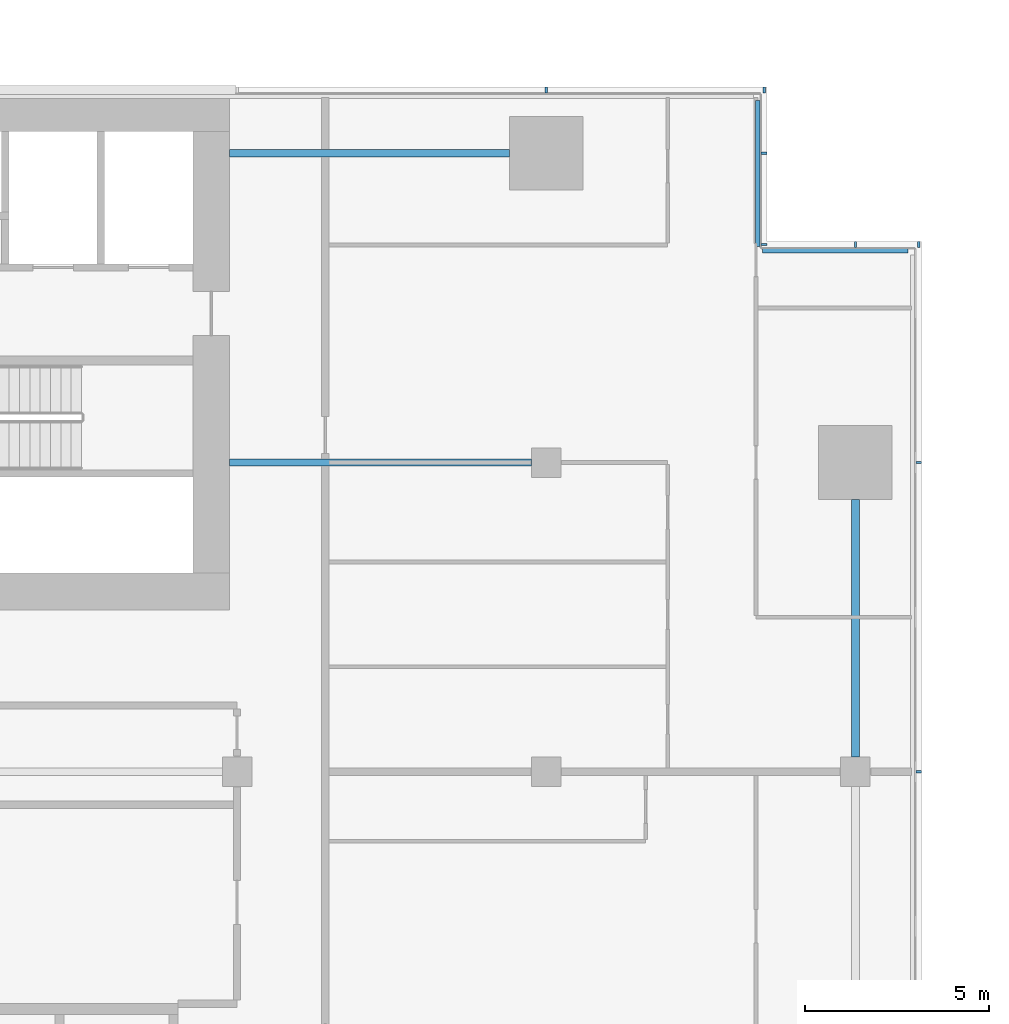
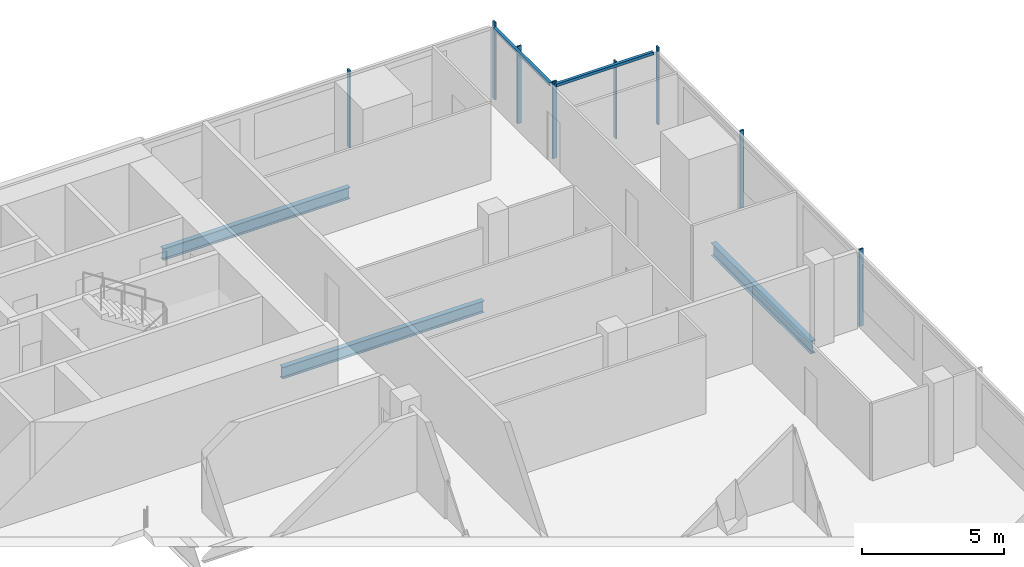
# One storey, part 15 of 30: 10 members, 3 beams, 4 elements without a shape of their own.
"""IFC4 building model written with IfcOpenShell, lengths in metres."""

import ifcopenshell
import ifcopenshell.guid

model = None  # the IFC model being written
_history = None  # IfcOwnerHistory: only IFC2X3 demands one
_inside = {}  # id of a spatial element -> (the spatial element, [elements in it])
_under = {}  # id of a project, library or spatial element -> (it, [spatial elements below it])
_declared = {}  # id of a project -> (the project, [libraries it declares])
_typed = {}  # id of a type object -> (the type object, [elements of that type])
_made_of = {}  # id of a material, layer set ... -> (it, [elements and type objects made of it])


def new_model(schema):
    """Start an empty IFC model of exactly this schema.

    Asked for "IFC4X3", IfcOpenShell would pick the latest addendum, in which some entities
    have other attributes; the version numbers below select the first issue.
    IFC2X3 requires an IfcOwnerHistory on every rooted entity: one is made here for all.
    """
    global model, _history
    if schema == "IFC4X3":
        model = ifcopenshell.file(schema_version=(4, 3, 0, 0))
    else:
        model = ifcopenshell.file(schema=schema)
    _inside.clear()
    _under.clear()
    _declared.clear()
    _typed.clear()
    _made_of.clear()
    _history = None
    if model.schema == "IFC2X3":
        org = make("IfcOrganization", Name="unknown")
        user = make(
            "IfcPersonAndOrganization",
            ThePerson=make("IfcPerson", FamilyName="unknown"),
            TheOrganization=org,
        )
        app = make(
            "IfcApplication",
            ApplicationDeveloper=org,
            Version="unknown",
            ApplicationFullName="unknown",
            ApplicationIdentifier="unknown",
        )
        _history = make(
            "IfcOwnerHistory",
            OwningUser=user,
            OwningApplication=app,
            ChangeAction="ADDED",
            CreationDate=0,
        )
    return model


def make(cls, **values):
    """One entity of the class cls with the attributes given. An attribute that is None is left unset."""
    return model.create_entity(
        cls, **{name: value for name, value in values.items() if value is not None}
    )


def rooted(cls, **values):
    """An entity with a GlobalId (a new one), such as an element, a storey or a relation."""
    return make(cls, GlobalId=ifcopenshell.guid.new(), OwnerHistory=_history, **values)


def si_unit(unit_type, name, prefix=None):
    """IfcSIUnit, for example si_unit("LENGTHUNIT", "METRE", prefix="MILLI")."""
    return make("IfcSIUnit", UnitType=unit_type, Prefix=prefix, Name=name)


def assignment(units):
    """IfcUnitAssignment: the units of a project."""
    return None if units is None else make("IfcUnitAssignment", Units=units)


def point(xyz):
    """IfcCartesianPoint."""
    return None if xyz is None else make("IfcCartesianPoint", Coordinates=xyz)


def direction(xyz):
    """IfcDirection."""
    return None if xyz is None else make("IfcDirection", DirectionRatios=xyz)


def frame(location, z_axis=None, x_axis=None):
    """IfcAxis2Placement3D, a coordinate frame: its origin and axes. An axis left out is left unset."""
    return make(
        "IfcAxis2Placement3D",
        Location=point(location),
        Axis=direction(z_axis),
        RefDirection=direction(x_axis),
    )


def frame_2d(location, x_axis=None):
    """IfcAxis2Placement2D, a coordinate frame in the plane: its origin and x axis."""
    return make(
        "IfcAxis2Placement2D", Location=point(location), RefDirection=direction(x_axis)
    )


def origin():
    """The frame at (0, 0, 0) with its axes left unset."""
    return frame((0.0, 0.0, 0.0))


def origin_2d():
    """The frame at (0, 0) in the plane with its x axis left unset."""
    return frame_2d((0.0, 0.0))


def place(relative_to, where):
    """IfcLocalPlacement: puts the frame where relative to a parent placement (None: the world)."""
    return make(
        "IfcLocalPlacement", PlacementRelTo=relative_to, RelativePlacement=where
    )


def context(
    kind, dimensions, precision=None, world=None, true_north=None, identifier=None
):
    """IfcGeometricRepresentationContext, for example the 3D "Model" context."""
    return make(
        "IfcGeometricRepresentationContext",
        ContextIdentifier=identifier,
        ContextType=kind,
        CoordinateSpaceDimension=dimensions,
        Precision=precision,
        WorldCoordinateSystem=world,
        TrueNorth=true_north,
    )


def subcontext(parent, identifier, kind, view, scale=None):
    """IfcGeometricRepresentationSubContext, for example "Body" below "Model"."""
    return make(
        "IfcGeometricRepresentationSubContext",
        ContextIdentifier=identifier,
        ContextType=kind,
        ParentContext=parent,
        TargetScale=scale,
        TargetView=view,
    )


def project(units=None, contexts=None):
    """IfcProject with its units and contexts."""
    return rooted(
        "IfcProject",
        Name="project",
        RepresentationContexts=contexts,
        UnitsInContext=assignment(units),
    )


def spatial(cls, under=None, at=None, **own):
    """A site, building, storey or space (cls), placed at a placement, below another one or the project."""
    s = rooted(cls, ObjectPlacement=at, **own)
    if under is not None:
        _under.setdefault(under.id(), (under, []))[1].append(s)
    return s


def profile(cls, at=None, kind="AREA", **sizes):
    """A parametric profile (cls). Its sizes go by their IFC names, for example OverallWidth=200.0."""
    return make(cls, ProfileType=kind, Position=at, **sizes)


def rectangle(**sizes):
    """IfcRectangleProfileDef."""
    return profile("IfcRectangleProfileDef", **sizes)


def i_section(**sizes):
    """IfcIShapeProfileDef."""
    return profile("IfcIShapeProfileDef", **sizes)


def extrude(swept, where, along, depth):
    """IfcExtrudedAreaSolid: the profile swept, set in the frame where, extruded along a direction by depth."""
    return make(
        "IfcExtrudedAreaSolid",
        SweptArea=swept,
        Position=where,
        ExtrudedDirection=direction(along),
        Depth=depth,
    )


def shape(context_of_items, identifier, shape_type, items):
    """IfcShapeRepresentation: the items that make up one representation, for example the "Body"."""
    return make(
        "IfcShapeRepresentation",
        ContextOfItems=context_of_items,
        RepresentationIdentifier=identifier,
        RepresentationType=shape_type,
        Items=items,
    )


def material(Name=None, Category=None):
    """IfcMaterial."""
    return make("IfcMaterial", Name=Name, Category=Category)


def material_profile(
    of_material, cross_section, Name=None, Category=None, Priority=None
):
    """IfcMaterialProfile: a cross section and its material."""
    return make(
        "IfcMaterialProfile",
        Name=Name,
        Material=of_material,
        Profile=cross_section,
        Priority=Priority,
        Category=Category,
    )


def profile_set(profiles, Name=None, composite=None):
    """IfcMaterialProfileSet."""
    return make(
        "IfcMaterialProfileSet",
        Name=Name,
        MaterialProfiles=profiles,
        CompositeProfile=composite,
    )


def made_of(thing, what):
    """Note that an element or type object is made of a material, layer set ...; save() writes the relation."""
    if what is not None:
        _made_of.setdefault(what.id(), (what, []))[1].append(thing)
    return thing


def type_object(cls, material=None, **own):
    """A type object (cls), such as IfcWallType, which elements share."""
    return made_of(rooted(cls, **own), material)


def element(
    cls,
    number,
    at=None,
    inside=None,
    cuts=None,
    type_object=None,
    material=None,
    context=None,
    identifier="Body",
    shape_type=None,
    held_by="IfcProductDefinitionShape",
    body=None,
    shapes=None,
    **own,
):
    """One element of the class cls, such as IfcWall. Its Tag is "e" and its number.

    at: its placement. inside: the storey or other place that contains it. cuts: it is an
    opening in that element (IfcRelVoidsElement). A single representation is given by context,
    identifier, shape_type and body (its items); several are given by shapes. held_by: the class
    of the entity that holds the representations. save() writes the other relations.
    """
    e = rooted(cls, Tag="e%d" % number, ObjectPlacement=at, **own)
    if body is not None:
        shapes = [shape(context, identifier, shape_type, body)]
    if shapes is not None:
        e.Representation = make(held_by, Representations=shapes)
    if inside is not None:
        _inside.setdefault(inside.id(), (inside, []))[1].append(e)
    if cuts is not None:
        rooted(
            "IfcRelVoidsElement", RelatingBuildingElement=cuts, RelatedOpeningElement=e
        )
    if type_object is not None:
        _typed.setdefault(type_object.id(), (type_object, []))[1].append(e)
    return made_of(e, material)


def aggregate(whole, parts):
    """IfcRelAggregates: a whole, such as a stair, and the parts it consists of."""
    return rooted("IfcRelAggregates", RelatingObject=whole, RelatedObjects=parts)


def save(model, path):
    """Write the relations noted so far, then the file.

    IfcRelAggregates (storeys below a building ...), IfcRelContainedInSpatialStructure (elements
    in a storey), IfcRelDefinesByType, IfcRelAssociatesMaterial and IfcRelDeclares: one each for
    every whole, place, type object, material and project.
    """
    for whole, parts in _under.values():
        aggregate(whole, parts)
    for where, things in _inside.values():
        rooted(
            "IfcRelContainedInSpatialStructure",
            RelatedElements=things,
            RelatingStructure=where,
        )
    for kind, things in _typed.values():
        rooted("IfcRelDefinesByType", RelatedObjects=things, RelatingType=kind)
    for what, things in _made_of.values():
        rooted("IfcRelAssociatesMaterial", RelatedObjects=things, RelatingMaterial=what)
    for by, libraries in _declared.values():
        rooted("IfcRelDeclares", RelatingContext=by, RelatedDefinitions=libraries)
    model.write(path)


model = new_model("IFC4")

# Units and contexts
model_context = context("Model", 3, precision=1e-05, world=origin(), true_north=direction((0.0, 1.0)))
body_context = subcontext(model_context, "Body", "Model", "MODEL_VIEW")
ifc_project = project(units=[si_unit("LENGTHUNIT", "METRE"), si_unit("AREAUNIT", "SQUARE_METRE"), si_unit("VOLUMEUNIT", "CUBIC_METRE"), si_unit("PLANEANGLEUNIT", "RADIAN"), si_unit("MASSUNIT", "GRAM", prefix="KILO")], contexts=[model_context])

# Site, building, storey
site_placement = place(None, origin())
site = spatial("IfcSite", under=ifc_project, at=site_placement, CompositionType="ELEMENT")
building_placement = place(site_placement, origin())
building = spatial("IfcBuilding", under=site, at=building_placement, Name="Saffron Gate Tower", CompositionType="ELEMENT")
storey_placement = place(building_placement, frame((0.0, 0.0, 127.64990234375)))
storey = spatial("IfcBuildingStorey", under=building, at=storey_placement, Name="L30", CompositionType="ELEMENT", Elevation=127.64990234375)

# Beams
ifc_material_1 = material(Name="Structural steel S355", Category="steel")
ifc_material_profile_1 = material_profile(ifc_material_1, i_section(OverallWidth=0.199951171875, OverallDepth=0.5, WebThickness=0.01025390625, FlangeThickness=0.01611328125, FilletRadius=0.02099609375, at=origin_2d()))
ifc_profile_set_1 = profile_set([ifc_material_profile_1], Name="Structural steel S355")
beam_type_1 = type_object("IfcBeamType", Name="B10 IPE 500", PredefinedType="BEAM", material=ifc_profile_set_1)
beam_1_placement = place(storey_placement, frame((116.60009765625, 65.39990234375, -0.52978515625), z_axis=(-1.0, 0.0, 0.0), x_axis=(0.0, -1.0, 0.0)))
element("IfcBeam", 1, at=beam_1_placement, inside=storey, type_object=beam_type_1, Name="B10 CORE TIE BEAM", PredefinedType="BEAM", context=body_context, shape_type="SweptSolid", body=[
    extrude(i_section(OverallWidth=0.199951171875, OverallDepth=0.5, WebThickness=0.01025390625, FlangeThickness=0.01611328125, FilletRadius=0.02099609375, at=origin_2d()), origin(), (0.0, 0.0, 1.0), 8.2001953125),
])
beam_2_placement = place(storey_placement, frame((116.0, 73.800048828125, -0.52978515625), z_axis=(-1.0, 0.0, 0.0), x_axis=(0.0, -1.0, 0.0)))
element("IfcBeam", 2, at=beam_2_placement, inside=storey, type_object=beam_type_1, Name="B10 CORE TIE BEAM", PredefinedType="BEAM", context=body_context, shape_type="SweptSolid", body=[
    extrude(i_section(OverallWidth=0.199951171875, OverallDepth=0.5, WebThickness=0.01025390625, FlangeThickness=0.01611328125, FilletRadius=0.02099609375, at=origin_2d()), origin(), (0.0, 0.0, 1.0), 7.60009765625),
])
ifc_material_profile_2 = material_profile(ifc_material_1, i_section(OverallWidth=0.2099609375, OverallDepth=0.550048828125, WebThickness=0.010986328125, FlangeThickness=0.01708984375, FilletRadius=0.02392578125, at=origin_2d()))
ifc_profile_set_2 = profile_set([ifc_material_profile_2], Name="Structural steel S355")
beam_type_2 = type_object("IfcBeamType", Name="B13 IPE 550", PredefinedType="SPANDREL", material=ifc_profile_set_2)
beam_3_placement = place(storey_placement, frame((125.39990234375, 57.39990234375, -0.554931640625), z_axis=(0.0, 1.0, 0.0), x_axis=(-1.0, 0.0, 0.0)))
element("IfcBeam", 3, at=beam_3_placement, inside=storey, type_object=beam_type_2, Name="B13 SPANDREL BEAM", PredefinedType="SPANDREL", context=body_context, shape_type="SweptSolid", body=[
    extrude(i_section(OverallWidth=0.2099609375, OverallDepth=0.550048828125, WebThickness=0.010986328125, FlangeThickness=0.01708984375, FilletRadius=0.02392578125, at=origin_2d()), origin(), (0.0, 0.0, 1.0), 7.0),
])

# Curtain wall, members
ifc_material_2 = material(Name="Aluminium, bronze anodised", Category="aluminium")
curtain_wall_type_1 = type_object("IfcCurtainWallType", Name="CWS2 curtain wall side facades", PredefinedType="NOTDEFINED", material=ifc_material_2)
curtain_wall_1_placement = place(storey_placement, origin())
curtain_wall_1 = element("IfcCurtainWall", 4, at=curtain_wall_1_placement, inside=storey, type_object=curtain_wall_type_1, Name="CWS2 run 4", PredefinedType="NOTDEFINED")
ifc_material_profile_3 = material_profile(ifc_material_2, rectangle(XDim=0.159912109375, YDim=0.06005859375, at=origin_2d()))
ifc_profile_set_3 = profile_set([ifc_material_profile_3], Name="Aluminium, bronze anodised")
member_type_1 = type_object("IfcMemberType", Name="CWS2 mullion 60x160", PredefinedType="MULLION", material=ifc_profile_set_3)
member_1_placement = place(storey_placement, frame((127.1201171875, 57.0, 0.0), z_axis=(0.0, 0.0, 1.0), x_axis=(-1.0, 0.0, 0.0)))
member_1 = element("IfcMember", 5, at=member_1_placement, type_object=member_type_1, Name="CWS2 mullion 4", PredefinedType="MULLION", context=body_context, shape_type="SweptSolid", body=[
    extrude(rectangle(XDim=0.159912109375, YDim=0.06005859375, at=origin_2d()), origin(), (0.0, 0.0, 1.0), 3.320068359375),
])
member_2_placement = place(storey_placement, frame((127.1201171875, 65.39990234375, 0.0), z_axis=(0.0, 0.0, 1.0), x_axis=(-1.0, 0.0, 0.0)))
member_2 = element("IfcMember", 6, at=member_2_placement, type_object=member_type_1, Name="CWS2 mullion 5", PredefinedType="MULLION", context=body_context, shape_type="SweptSolid", body=[
    extrude(rectangle(XDim=0.159912109375, YDim=0.06005859375, at=origin_2d()), origin(), (0.0, 0.0, 1.0), 3.320068359375),
])
aggregate(curtain_wall_1, [member_1, member_2])

curtain_wall_type_2 = type_object("IfcCurtainWallType", Name="CWS3 curtain wall rear facade", PredefinedType="NOTDEFINED", material=ifc_material_2)
curtain_wall_2_placement = place(storey_placement, origin())
curtain_wall_2 = element("IfcCurtainWall", 7, at=curtain_wall_2_placement, inside=storey, type_object=curtain_wall_type_2, Name="CWS3 run 7", PredefinedType="NOTDEFINED")
ifc_material_profile_4 = material_profile(ifc_material_2, rectangle(XDim=0.159912109375, YDim=0.070068359375, at=origin_2d()))
ifc_profile_set_4 = profile_set([ifc_material_profile_4], Name="Aluminium, bronze anodised")
member_type_2 = type_object("IfcMemberType", Name="CWS3 mullion 70x160", PredefinedType="MULLION", material=ifc_profile_set_4)
member_3_placement = place(storey_placement, frame((122.919921875, 75.52001953125, 0.0), z_axis=(0.0, 0.0, 1.0), x_axis=(0.0, -1.0, 0.0)))
member_3 = element("IfcMember", 8, at=member_3_placement, type_object=member_type_2, Name="CWS3 mullion 1", PredefinedType="MULLION", context=body_context, shape_type="SweptSolid", body=[
    extrude(rectangle(XDim=0.159912109375, YDim=0.070068359375, at=origin_2d()), origin(), (0.0, 0.0, 1.0), 3.320068359375),
])
member_4_placement = place(storey_placement, frame((117.0, 75.52001953125, 0.0), z_axis=(0.0, 0.0, 1.0), x_axis=(0.0, -1.0, 0.0)))
member_4 = element("IfcMember", 9, at=member_4_placement, type_object=member_type_2, Name="CWS3 mullion 2", PredefinedType="MULLION", context=body_context, shape_type="SweptSolid", body=[
    extrude(rectangle(XDim=0.159912109375, YDim=0.070068359375, at=origin_2d()), origin(), (0.0, 0.0, 1.0), 3.320068359375),
])
aggregate(curtain_wall_2, [member_3, member_4])

# Curtain wall, member
curtain_wall_type_3 = type_object("IfcCurtainWallType", Name="CWS4 curtain wall corner returns", PredefinedType="NOTDEFINED", material=ifc_material_2)
curtain_wall_3_placement = place(storey_placement, origin())
curtain_wall_3 = element("IfcCurtainWall", 10, at=curtain_wall_3_placement, inside=storey, type_object=curtain_wall_type_3, Name="CWS4 run 5", PredefinedType="NOTDEFINED")
ifc_material_profile_5 = material_profile(ifc_material_2, rectangle(XDim=0.1201171875, YDim=0.1201171875, at=origin_2d()))
ifc_profile_set_5 = profile_set([ifc_material_profile_5], Name="Aluminium, bronze anodised")
member_type_3 = type_object("IfcMemberType", Name="CWS4 head transom", PredefinedType="USERDEFINED", material=ifc_profile_set_5)
member_5_placement = place(storey_placement, frame((126.83203125, 71.152099609375, 3.260009765625), z_axis=(-1.0, 0.0, 0.0), x_axis=(0.0, -1.0, 0.0)))
member_5 = element("IfcMember", 11, at=member_5_placement, type_object=member_type_3, Name="CWS4 head transom", ObjectType="TRANSOM", PredefinedType="USERDEFINED", context=body_context, shape_type="SweptSolid", body=[
    extrude(rectangle(XDim=0.1201171875, YDim=0.1201171875, at=origin_2d()), origin(), (0.0, 0.0, 1.0), 3.9599609375),
])

curtain_wall_4_placement = place(storey_placement, origin())
curtain_wall_4 = element("IfcCurtainWall", 12, at=curtain_wall_4_placement, inside=storey, type_object=curtain_wall_type_3, Name="CWS4 run 6", PredefinedType="NOTDEFINED")
member_6_placement = place(storey_placement, frame((122.751953125, 71.27197265625, 3.260009765625), z_axis=(0.0, 1.0, 0.0), x_axis=(-1.0, 0.0, 0.0)))
member_6 = element("IfcMember", 13, at=member_6_placement, type_object=member_type_3, Name="CWS4 head transom", ObjectType="TRANSOM", PredefinedType="USERDEFINED", context=body_context, shape_type="SweptSolid", body=[
    extrude(rectangle(XDim=0.1201171875, YDim=0.1201171875, at=origin_2d()), origin(), (0.0, 0.0, 1.0), 3.9599609375),
])

# Member
ifc_material_profile_6 = material_profile(ifc_material_2, rectangle(XDim=0.159912109375, YDim=0.06005859375, at=origin_2d()))
ifc_profile_set_6 = profile_set([ifc_material_profile_6], Name="Aluminium, bronze anodised")
member_type_4 = type_object("IfcMemberType", Name="CWS4 mullion 60x160", PredefinedType="MULLION", material=ifc_profile_set_6)
member_7_placement = place(storey_placement, frame((127.1201171875, 71.320068359375, 0.0), z_axis=(0.0, 0.0, 1.0), x_axis=(0.0, -1.0, 0.0)))
member_7 = element("IfcMember", 14, at=member_7_placement, type_object=member_type_4, Name="CWS4 mullion 1", PredefinedType="MULLION", context=body_context, shape_type="SweptSolid", body=[
    extrude(rectangle(XDim=0.159912109375, YDim=0.06005859375, at=origin_2d()), origin(), (0.0, 0.0, 1.0), 3.320068359375),
])

member_8_placement = place(storey_placement, frame((125.39990234375, 71.320068359375, 0.0), z_axis=(0.0, 0.0, 1.0), x_axis=(0.0, -1.0, 0.0)))
member_8 = element("IfcMember", 15, at=member_8_placement, type_object=member_type_4, Name="CWS4 mullion 2", PredefinedType="MULLION", context=body_context, shape_type="SweptSolid", body=[
    extrude(rectangle(XDim=0.159912109375, YDim=0.06005859375, at=origin_2d()), origin(), (0.0, 0.0, 1.0), 3.320068359375),
])

aggregate(curtain_wall_3, [member_7, member_8, member_5])

member_9_placement = place(storey_placement, frame((122.919921875, 71.320068359375, 0.0), z_axis=(0.0, 0.0, 1.0), x_axis=(-1.0, 0.0, 0.0)))
member_9 = element("IfcMember", 16, at=member_9_placement, type_object=member_type_4, Name="CWS4 mullion 1", PredefinedType="MULLION", context=body_context, shape_type="SweptSolid", body=[
    extrude(rectangle(XDim=0.159912109375, YDim=0.06005859375, at=origin_2d()), origin(), (0.0, 0.0, 1.0), 3.320068359375),
])

member_10_placement = place(storey_placement, frame((122.919921875, 73.800048828125, 0.0), z_axis=(0.0, 0.0, 1.0), x_axis=(-1.0, 0.0, 0.0)))
member_10 = element("IfcMember", 17, at=member_10_placement, type_object=member_type_4, Name="CWS4 mullion 2", PredefinedType="MULLION", context=body_context, shape_type="SweptSolid", body=[
    extrude(rectangle(XDim=0.159912109375, YDim=0.06005859375, at=origin_2d()), origin(), (0.0, 0.0, 1.0), 3.320068359375),
])

aggregate(curtain_wall_4, [member_9, member_10, member_6])

save(model, "model.ifc")
